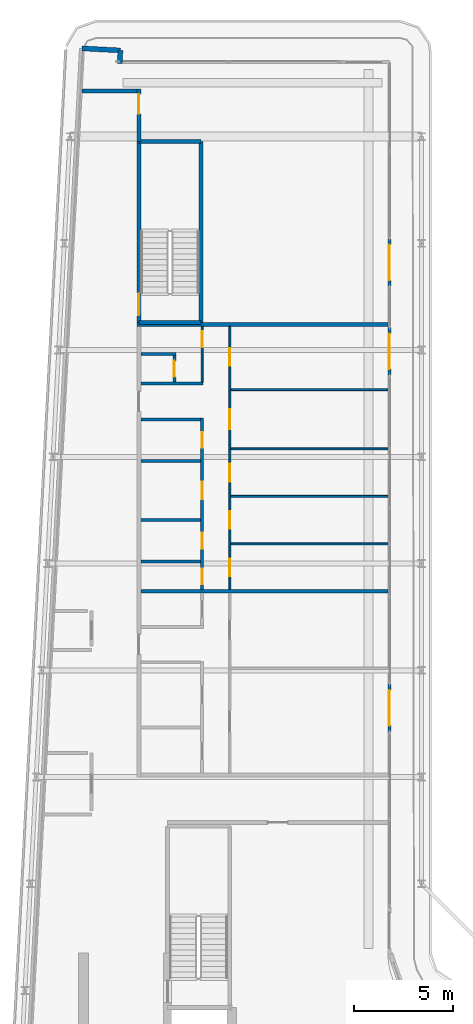
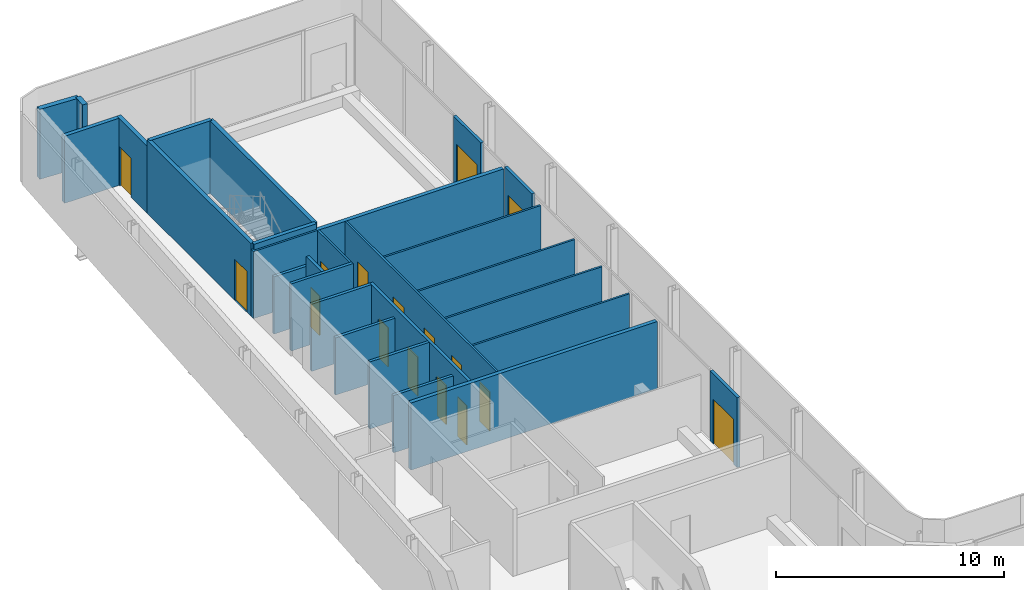
# One storey, part 11 of 19: 27 walls, 16 doors, 16 openings.
"""IFC4 building model written with IfcOpenShell, lengths in metres."""

from ifc_helpers import new_model, si_unit, direction, frame, frame_2d, origin, place, context, subcontext, project, spatial, rectangle, extrude, source, transform, mapped, material, layer, layer_set, type_object, element, fill, save


model = new_model("IFC4")

# Units and contexts
model_context = context("Model", 3, precision=1e-05, world=origin(), true_north=direction((0.0, 1.0)))
body_context = subcontext(model_context, "Body", "Model", "MODEL_VIEW")
ifc_project = project(units=[si_unit("LENGTHUNIT", "METRE"), si_unit("AREAUNIT", "SQUARE_METRE"), si_unit("VOLUMEUNIT", "CUBIC_METRE"), si_unit("PLANEANGLEUNIT", "RADIAN"), si_unit("MASSUNIT", "GRAM", prefix="KILO")], contexts=[model_context])

# Site, building, storey
site_placement = place(None, origin())
site = spatial("IfcSite", under=ifc_project, at=site_placement, CompositionType="ELEMENT")
building_placement = place(site_placement, origin())
building = spatial("IfcBuilding", under=site, at=building_placement, Name="Kheshtan School and Residences Tower", CompositionType="ELEMENT")
storey_placement = place(building_placement, frame((0.0, 0.0, 357.800048828125)))
storey = spatial("IfcBuildingStorey", under=building, at=storey_placement, Name="L84", CompositionType="ELEMENT", Elevation=357.800048828125)

# Wall
ifc_material_1 = material(Name="Gypsum board on steel studs with fire boards", Category="steel")
ifc_layer_1 = layer(ifc_material_1, 0.199951171875)
ifc_layer_set_1 = layer_set([ifc_layer_1], Name="Corridor wall 200")
wall_type_1 = type_object("IfcWallType", Name="Corridor wall 200", PredefinedType="PARTITIONING", material=ifc_layer_set_1)
wall_1_placement = place(storey_placement, frame((30.432373046875, 91.10009765625, 0.0), z_axis=(0.0, 0.0, 1.0), x_axis=(1.0, 0.0, 0.0)))
element("IfcWall", 1, at=wall_1_placement, inside=storey, type_object=wall_type_1, Name="Partition L84-001", PredefinedType="PARTITIONING", context=body_context, shape_type="SweptSolid", body=[
    extrude(rectangle(XDim=2.767578125, YDim=0.199951171875, at=frame_2d((1.3837890625, 0.0))), origin(), (0.0, 0.0, 1.0), 3.599853515625),
])

# Wall, opening, door
wall_2_placement = place(storey_placement, frame((33.300048828125, 88.56005859375, 0.0), z_axis=(0.0, 0.0, 1.0), x_axis=(0.0, 1.0, 0.0)))
wall_2 = element("IfcWall", 2, at=wall_2_placement, inside=storey, type_object=wall_type_1, Name="Partition L84-004", PredefinedType="PARTITIONING", context=body_context, shape_type="SweptSolid", body=[
    extrude(rectangle(XDim=2.639892578125, YDim=0.199951171875, at=frame_2d((1.31982421875, 0.0))), origin(), (0.0, 0.0, 1.0), 3.599853515625),
])
opening_1_placement = place(wall_2_placement, frame((1.389892578125, 0.0, 0.0)))
opening_1 = element("IfcOpeningElement", 3, at=opening_1_placement, cuts=wall_2, Name="Opening D83-021", PredefinedType="OPENING", context=body_context, shape_type="SweptSolid", body=[
    extrude(rectangle(XDim=1.0, YDim=2.10009765625, at=frame_2d((0.5, 1.050048828125))), frame((0.0, 0.10986328125, 0.0), z_axis=(0.0, -1.0, 0.0), x_axis=(1.0, 0.0, 0.0)), (0.0, 0.0, 1.0), 0.219970703125),
])
ifc_material_2 = material(Name="Steel-framed fire-resisting door leaf", Category="steel")
door_type_1 = type_object("IfcDoorType", Name="Fire door FD60 1000 x 2100", OperationType="SINGLE_SWING_LEFT", PredefinedType="DOOR", material=ifc_material_2)
shared_shape_1 = source(origin(), body_context, "Body", "SweptSolid", [
    extrude(rectangle(XDim=1.0, YDim=2.10009765625, at=frame_2d((0.5, 1.050048828125))), frame((0.0, 0.02490234375, 0.0), z_axis=(0.0, -1.0, 0.0), x_axis=(1.0, 0.0, 0.0)), (0.0, 0.0, 1.0), 0.050048828125),
])
door_1_placement = place(opening_1_placement, origin())
door_1 = element("IfcDoor", 4, at=door_1_placement, inside=storey, type_object=door_type_1, Name="Door D83-021", OperationType="SINGLE_SWING_RIGHT", OverallHeight=2.10009765625, OverallWidth=1.0, PredefinedType="DOOR", context=body_context, shape_type="MappedRepresentation", body=[
    mapped(shared_shape_1, transform((0.0, 0.0, 0.0), x_axis=(1.0, 0.0, 0.0), y_axis=(0.0, 1.0, 0.0), z_axis=(0.0, 0.0, 1.0), scale=1.0)),
])
fill(opening_1, door_1)

# Walls
ifc_material_3 = material(Name="Concrete C40/50 with ceramic cladding and mineral wool insulation", Category="concrete")
ifc_layer_2 = layer(ifc_material_3, 0.25)
ifc_layer_set_2 = layer_set([ifc_layer_2], Name="External wall 250 ceramic clad")
wall_type_2 = type_object("IfcWallType", Name="External wall 250 ceramic clad", PredefinedType="SOLIDWALL", material=ifc_layer_set_2)
wall_3_placement = place(storey_placement, frame((30.4208984375, 93.263916015625, 0.0), z_axis=(0.0, 0.0, 1.0), x_axis=(0.998577785791, -0.053314216913, 0.0)))
element("IfcWall", 5, at=wall_3_placement, inside=storey, type_object=wall_type_2, Name="External wall L84 1", PredefinedType="SOLIDWALL", context=body_context, shape_type="SweptSolid", body=[
    extrude(rectangle(XDim=1.95068359375, YDim=0.25, at=frame_2d((0.975341796875, 0.0))), origin(), (0.0, 0.0, 1.0), 3.75),
])
wall_4_placement = place(storey_placement, frame((32.368896484375, 93.159912109375, 0.0), z_axis=(0.0, 0.0, 1.0), x_axis=(-0.053729014033, -0.998555553312, 0.0)))
element("IfcWall", 6, at=wall_4_placement, inside=storey, type_object=wall_type_2, Name="External wall L84 2", PredefinedType="SOLIDWALL", context=body_context, shape_type="SweptSolid", body=[
    extrude(rectangle(XDim=0.66796875, YDim=0.25, at=frame_2d((0.333984375, 0.0))), origin(), (0.0, 0.0, 1.0), 3.75),
])

# Wall, opening, door
ifc_material_4 = material(Name="Aluminium frame wall with insulated infill", Category="aluminium")
ifc_layer_3 = layer(ifc_material_4, 0.14990234375)
ifc_layer_set_3 = layer_set([ifc_layer_3], Name="Glazing frame wall 150")
wall_type_3 = type_object("IfcWallType", Name="Glazing frame wall 150", PredefinedType="SOLIDWALL", material=ifc_layer_set_3)
wall_5_placement = place(storey_placement, frame((45.97509765625, 83.632080078125, 0.0), z_axis=(0.0, 0.0, 1.0), x_axis=(0.0, -1.0, 0.0)))
wall_5 = element("IfcWall", 7, at=wall_5_placement, inside=storey, type_object=wall_type_3, Name="Balcony door wall L84 4.1", PredefinedType="SOLIDWALL", context=body_context, shape_type="SweptSolid", body=[
    extrude(rectangle(XDim=2.399169921875, YDim=0.14990234375, at=frame_2d((1.19970703125, 0.0))), origin(), (0.0, 0.0, 1.0), 3.75),
])
opening_2_placement = place(wall_5_placement, frame((0.300048828125, 0.0, 0.0)))
opening_2 = element("IfcOpeningElement", 8, at=opening_2_placement, cuts=wall_5, Name="Opening BD", PredefinedType="OPENING", context=body_context, shape_type="SweptSolid", body=[
    extrude(rectangle(XDim=1.800048828125, YDim=2.39990234375, at=frame_2d((0.89990234375, 1.199951171875))), frame((0.0, 0.0849609375, 0.0), z_axis=(0.0, -1.0, 0.0), x_axis=(1.0, 0.0, 0.0)), (0.0, 0.0, 1.0), 0.169921875),
])
ifc_material_5 = material(Name="Clear low-e glass in thermally broken aluminium frame", Category="aluminium")
door_type_2 = type_object("IfcDoorType", Name="Balcony sliding door", OperationType="SLIDING_TO_LEFT", PredefinedType="DOOR", material=ifc_material_5)
shared_shape_2 = source(origin(), body_context, "Body", "SweptSolid", [
    extrude(rectangle(XDim=1.800048828125, YDim=2.39990234375, at=frame_2d((0.89990234375, 1.199951171875))), frame((0.0, 0.02490234375, 0.0), z_axis=(0.0, -1.0, 0.0), x_axis=(1.0, 0.0, 0.0)), (0.0, 0.0, 1.0), 0.050048828125),
])
door_2_placement = place(opening_2_placement, origin())
door_2 = element("IfcDoor", 9, at=door_2_placement, inside=storey, type_object=door_type_2, Name="Balcony door L84 4.1", OperationType="SLIDING_TO_LEFT", OverallHeight=2.39990234375, OverallWidth=1.800048828125, PredefinedType="DOOR", context=body_context, shape_type="MappedRepresentation", body=[
    mapped(shared_shape_2, transform((0.0, 0.0, 0.0), x_axis=(1.0, 0.0, 0.0), y_axis=(0.0, 1.0, 0.0), z_axis=(0.0, 0.0, 1.0), scale=1.0)),
])
fill(opening_2, door_2)

wall_6_placement = place(storey_placement, frame((45.97509765625, 79.132080078125, 0.0), z_axis=(0.0, 0.0, 1.0), x_axis=(0.0, -1.0, 0.0)))
wall_6 = element("IfcWall", 10, at=wall_6_placement, inside=storey, type_object=wall_type_3, Name="Balcony door wall L84 4.2", PredefinedType="SOLIDWALL", context=body_context, shape_type="SweptSolid", body=[
    extrude(rectangle(XDim=2.399169921875, YDim=0.14990234375, at=frame_2d((1.19970703125, 0.0))), origin(), (0.0, 0.0, 1.0), 3.75),
])
opening_3_placement = place(wall_6_placement, frame((0.300048828125, 0.0, 0.0)))
opening_3 = element("IfcOpeningElement", 11, at=opening_3_placement, cuts=wall_6, Name="Opening BD", PredefinedType="OPENING", context=body_context, shape_type="SweptSolid", body=[
    extrude(rectangle(XDim=1.800048828125, YDim=2.39990234375, at=frame_2d((0.89990234375, 1.199951171875))), frame((0.0, 0.0849609375, 0.0), z_axis=(0.0, -1.0, 0.0), x_axis=(1.0, 0.0, 0.0)), (0.0, 0.0, 1.0), 0.169921875),
])
door_3_placement = place(opening_3_placement, origin())
door_3 = element("IfcDoor", 12, at=door_3_placement, inside=storey, type_object=door_type_2, Name="Balcony door L84 4.2", OperationType="SLIDING_TO_LEFT", OverallHeight=2.39990234375, OverallWidth=1.800048828125, PredefinedType="DOOR", context=body_context, shape_type="MappedRepresentation", body=[
    mapped(shared_shape_2, transform((0.0, 0.0, 0.0), x_axis=(1.0, 0.0, 0.0), y_axis=(0.0, 1.0, 0.0), z_axis=(0.0, 0.0, 1.0), scale=1.0)),
])
fill(opening_3, door_3)

wall_7_placement = place(storey_placement, frame((45.97509765625, 61.096923828125, 0.0), z_axis=(0.0, 0.0, 1.0), x_axis=(0.0, -1.0, 0.0)))
wall_7 = element("IfcWall", 13, at=wall_7_placement, inside=storey, type_object=wall_type_3, Name="Balcony door wall L84 4.3", PredefinedType="SOLIDWALL", context=body_context, shape_type="SweptSolid", body=[
    extrude(rectangle(XDim=2.39990234375, YDim=0.14990234375, at=frame_2d((1.199951171875, 0.0))), origin(), (0.0, 0.0, 1.0), 3.75),
])
opening_4_placement = place(wall_7_placement, frame((0.300048828125, 0.0, 0.0)))
opening_4 = element("IfcOpeningElement", 14, at=opening_4_placement, cuts=wall_7, Name="Opening BD", PredefinedType="OPENING", context=body_context, shape_type="SweptSolid", body=[
    extrude(rectangle(XDim=1.800048828125, YDim=2.39990234375, at=frame_2d((0.89990234375, 1.199951171875))), frame((0.0, 0.0849609375, 0.0), z_axis=(0.0, -1.0, 0.0), x_axis=(1.0, 0.0, 0.0)), (0.0, 0.0, 1.0), 0.169921875),
])
door_4_placement = place(opening_4_placement, origin())
door_4 = element("IfcDoor", 15, at=door_4_placement, inside=storey, type_object=door_type_2, Name="Balcony door L84 4.3", OperationType="SLIDING_TO_LEFT", OverallHeight=2.39990234375, OverallWidth=1.800048828125, PredefinedType="DOOR", context=body_context, shape_type="MappedRepresentation", body=[
    mapped(shared_shape_2, transform((0.0, 0.0, 0.0), x_axis=(1.0, 0.0, 0.0), y_axis=(0.0, 1.0, 0.0), z_axis=(0.0, 0.0, 1.0), scale=1.0)),
])
fill(opening_4, door_4)

ifc_material_6 = material(Name="Gypsum board on steel studs", Category="steel")
ifc_layer_4 = layer(ifc_material_6, 0.10009765625)
ifc_layer_set_4 = layer_set([ifc_layer_4], Name="Gypsum partition 100")
wall_type_4 = type_object("IfcWallType", Name="Gypsum partition 100", PredefinedType="PARTITIONING", material=ifc_layer_set_4)
wall_8_placement = place(storey_placement, frame((36.5, 76.375, 0.0), z_axis=(0.0, 0.0, 1.0), x_axis=(0.0, 1.0, 0.0)))
wall_8 = element("IfcWall", 16, at=wall_8_placement, inside=storey, type_object=wall_type_4, Name="Partition L84-023", PredefinedType="PARTITIONING", context=body_context, shape_type="SweptSolid", body=[
    extrude(rectangle(XDim=2.824951171875, YDim=0.10009765625, at=frame_2d((1.41259765625, 0.0))), origin(), (0.0, 0.0, 1.0), 3.599853515625),
])
opening_5_placement = place(wall_8_placement, frame((1.77490234375, 0.0, 0.0)))
opening_5 = element("IfcOpeningElement", 17, at=opening_5_placement, cuts=wall_8, Name="Opening D83-014", PredefinedType="OPENING", context=body_context, shape_type="SweptSolid", body=[
    extrude(rectangle(XDim=0.800048828125, YDim=2.10009765625, at=frame_2d((0.39990234375, 1.050048828125))), frame((0.0, 0.06005859375, 0.0), z_axis=(0.0, -1.0, 0.0), x_axis=(1.0, 0.0, 0.0)), (0.0, 0.0, 1.0), 0.1201171875),
])
ifc_material_7 = material(Name="Veneered timber door leaf", Category="wood")
door_type_3 = type_object("IfcDoorType", Name="Door 800 x 2100", OperationType="SINGLE_SWING_LEFT", PredefinedType="DOOR", material=ifc_material_7)
shared_shape_3 = source(origin(), body_context, "Body", "SweptSolid", [
    extrude(rectangle(XDim=0.800048828125, YDim=2.10009765625, at=frame_2d((0.39990234375, 1.050048828125))), frame((0.0, 0.02490234375, 0.0), z_axis=(0.0, -1.0, 0.0), x_axis=(1.0, 0.0, 0.0)), (0.0, 0.0, 1.0), 0.050048828125),
])
door_5_placement = place(opening_5_placement, origin())
door_5 = element("IfcDoor", 18, at=door_5_placement, inside=storey, type_object=door_type_3, Name="Door D83-014", OperationType="SINGLE_SWING_RIGHT", OverallHeight=2.10009765625, OverallWidth=0.800048828125, PredefinedType="DOOR", context=body_context, shape_type="MappedRepresentation", body=[
    mapped(shared_shape_3, transform((0.0, 0.0, 0.0), x_axis=(1.0, 0.0, 0.0), y_axis=(0.0, 1.0, 0.0), z_axis=(0.0, 0.0, 1.0), scale=1.0)),
])
fill(opening_5, door_5)

# Wall, openings, doors
wall_9_placement = place(storey_placement, frame((37.89990234375, 65.89990234375, 0.0), z_axis=(0.0, 0.0, 1.0), x_axis=(0.0, 1.0, 0.0)))
wall_9 = element("IfcWall", 19, at=wall_9_placement, inside=storey, type_object=wall_type_4, Name="Partition L84-025", PredefinedType="PARTITIONING", context=body_context, shape_type="SweptSolid", body=[
    extrude(rectangle(XDim=13.300048828125, YDim=0.10009765625, at=frame_2d((6.64990234375, 0.0))), origin(), (0.0, 0.0, 1.0), 3.599853515625),
])
opening_6_placement = place(wall_9_placement, frame((0.64990234375, 0.0, 0.0)))
opening_6 = element("IfcOpeningElement", 20, at=opening_6_placement, cuts=wall_9, Name="Opening D83-009", PredefinedType="OPENING", context=body_context, shape_type="SweptSolid", body=[
    extrude(rectangle(XDim=0.89990234375, YDim=2.10009765625, at=frame_2d((0.449951171875, 1.050048828125))), frame((0.0, 0.06005859375, 0.0), z_axis=(0.0, -1.0, 0.0), x_axis=(1.0, 0.0, 0.0)), (0.0, 0.0, 1.0), 0.1201171875),
])
opening_7_placement = place(wall_9_placement, frame((3.050048828125, 0.0, 0.0)))
opening_7 = element("IfcOpeningElement", 21, at=opening_7_placement, cuts=wall_9, Name="Opening D83-010", PredefinedType="OPENING", context=body_context, shape_type="SweptSolid", body=[
    extrude(rectangle(XDim=0.89990234375, YDim=2.10009765625, at=frame_2d((0.449951171875, 1.050048828125))), frame((0.0, 0.06005859375, 0.0), z_axis=(0.0, -1.0, 0.0), x_axis=(1.0, 0.0, 0.0)), (0.0, 0.0, 1.0), 0.1201171875),
])
opening_8_placement = place(wall_9_placement, frame((8.10009765625, 0.0, 0.0)))
opening_8 = element("IfcOpeningElement", 22, at=opening_8_placement, cuts=wall_9, Name="Opening D83-013", PredefinedType="OPENING", context=body_context, shape_type="SweptSolid", body=[
    extrude(rectangle(XDim=1.0, YDim=2.10009765625, at=frame_2d((0.5, 1.050048828125))), frame((0.0, 0.06005859375, 0.0), z_axis=(0.0, -1.0, 0.0), x_axis=(1.0, 0.0, 0.0)), (0.0, 0.0, 1.0), 0.1201171875),
])
opening_9_placement = place(wall_9_placement, frame((5.449951171875, 0.0, 0.0)))
opening_9 = element("IfcOpeningElement", 23, at=opening_9_placement, cuts=wall_9, Name="Opening D83-016", PredefinedType="OPENING", context=body_context, shape_type="SweptSolid", body=[
    extrude(rectangle(XDim=0.89990234375, YDim=2.10009765625, at=frame_2d((0.449951171875, 1.050048828125))), frame((0.0, 0.06005859375, 0.0), z_axis=(0.0, -1.0, 0.0), x_axis=(1.0, 0.0, 0.0)), (0.0, 0.0, 1.0), 0.1201171875),
])
opening_10_placement = place(wall_9_placement, frame((11.300048828125, 0.0, 0.0)))
opening_10 = element("IfcOpeningElement", 24, at=opening_10_placement, cuts=wall_9, Name="Opening D83-017", PredefinedType="OPENING", context=body_context, shape_type="SweptSolid", body=[
    extrude(rectangle(XDim=0.89990234375, YDim=2.10009765625, at=frame_2d((0.449951171875, 1.050048828125))), frame((0.0, 0.06005859375, 0.0), z_axis=(0.0, -1.0, 0.0), x_axis=(1.0, 0.0, 0.0)), (0.0, 0.0, 1.0), 0.1201171875),
])
door_type_4 = type_object("IfcDoorType", Name="Door 1000 x 2100", OperationType="SINGLE_SWING_LEFT", PredefinedType="DOOR", material=ifc_material_7)
shared_shape_4 = source(origin(), body_context, "Body", "SweptSolid", [
    extrude(rectangle(XDim=1.0, YDim=2.10009765625, at=frame_2d((0.5, 1.050048828125))), frame((0.0, 0.02490234375, 0.0), z_axis=(0.0, -1.0, 0.0), x_axis=(1.0, 0.0, 0.0)), (0.0, 0.0, 1.0), 0.050048828125),
])
door_6_placement = place(opening_8_placement, origin())
door_6 = element("IfcDoor", 25, at=door_6_placement, inside=storey, type_object=door_type_4, Name="Door D83-013", OperationType="SINGLE_SWING_RIGHT", OverallHeight=2.10009765625, OverallWidth=1.0, PredefinedType="DOOR", context=body_context, shape_type="MappedRepresentation", body=[
    mapped(shared_shape_4, transform((0.0, 0.0, 0.0), x_axis=(1.0, 0.0, 0.0), y_axis=(0.0, 1.0, 0.0), z_axis=(0.0, 0.0, 1.0), scale=1.0)),
])
fill(opening_8, door_6)
door_type_5 = type_object("IfcDoorType", Name="Door 900 x 2100", OperationType="SINGLE_SWING_LEFT", PredefinedType="DOOR", material=ifc_material_7)
shared_shape_5 = source(origin(), body_context, "Body", "SweptSolid", [
    extrude(rectangle(XDim=0.89990234375, YDim=2.10009765625, at=frame_2d((0.449951171875, 1.050048828125))), frame((0.0, 0.02490234375, 0.0), z_axis=(0.0, -1.0, 0.0), x_axis=(1.0, 0.0, 0.0)), (0.0, 0.0, 1.0), 0.050048828125),
])
door_7_placement = place(opening_6_placement, origin())
door_7 = element("IfcDoor", 26, at=door_7_placement, inside=storey, type_object=door_type_5, Name="Door D83-009", OperationType="SINGLE_SWING_LEFT", OverallHeight=2.10009765625, OverallWidth=0.89990234375, PredefinedType="DOOR", context=body_context, shape_type="MappedRepresentation", body=[
    mapped(shared_shape_5, transform((0.0, 0.0, 0.0), x_axis=(1.0, 0.0, 0.0), y_axis=(0.0, 1.0, 0.0), z_axis=(0.0, 0.0, 1.0), scale=1.0)),
])
fill(opening_6, door_7)
door_8_placement = place(opening_7_placement, origin())
door_8 = element("IfcDoor", 27, at=door_8_placement, inside=storey, type_object=door_type_5, Name="Door D83-010", OperationType="SINGLE_SWING_LEFT", OverallHeight=2.10009765625, OverallWidth=0.89990234375, PredefinedType="DOOR", context=body_context, shape_type="MappedRepresentation", body=[
    mapped(shared_shape_5, transform((0.0, 0.0, 0.0), x_axis=(1.0, 0.0, 0.0), y_axis=(0.0, 1.0, 0.0), z_axis=(0.0, 0.0, 1.0), scale=1.0)),
])
fill(opening_7, door_8)
door_9_placement = place(opening_9_placement, origin())
door_9 = element("IfcDoor", 28, at=door_9_placement, inside=storey, type_object=door_type_5, Name="Door D83-016", OperationType="SINGLE_SWING_LEFT", OverallHeight=2.10009765625, OverallWidth=0.89990234375, PredefinedType="DOOR", context=body_context, shape_type="MappedRepresentation", body=[
    mapped(shared_shape_5, transform((0.0, 0.0, 0.0), x_axis=(1.0, 0.0, 0.0), y_axis=(0.0, 1.0, 0.0), z_axis=(0.0, 0.0, 1.0), scale=1.0)),
])
fill(opening_9, door_9)
door_10_placement = place(opening_10_placement, origin())
door_10 = element("IfcDoor", 29, at=door_10_placement, inside=storey, type_object=door_type_5, Name="Door D83-017", OperationType="SINGLE_SWING_RIGHT", OverallHeight=2.10009765625, OverallWidth=0.89990234375, PredefinedType="DOOR", context=body_context, shape_type="MappedRepresentation", body=[
    mapped(shared_shape_5, transform((0.0, 0.0, 0.0), x_axis=(1.0, 0.0, 0.0), y_axis=(0.0, 1.0, 0.0), z_axis=(0.0, 0.0, 1.0), scale=1.0)),
])
fill(opening_10, door_10)

# Walls
for number, where, z_axis, x_axis, name in (
    (30, (37.949951171875, 68.199951171875, 0.0), (0.0, 0.0, 1.0), (1.0, 0.0, 0.0), "Partition L84-027"),
    (31, (37.949951171875, 70.60009765625, 0.0), (0.0, 0.0, 1.0), (1.0, 0.0, 0.0), "Partition L84-028"),
    (32, (37.949951171875, 73.0, 0.0), (0.0, 0.0, 1.0), (1.0, 0.0, 0.0), "Partition L84-029"),
    (33, (37.949951171875, 76.0, 0.0), (0.0, 0.0, 1.0), (1.0, 0.0, 0.0), "Partition L84-030"),
):
    element("IfcWall", number, at=place(storey_placement, frame(where, z_axis=z_axis, x_axis=x_axis)), inside=storey, type_object=wall_type_4, Name=name, PredefinedType="PARTITIONING", context=body_context, shape_type="SweptSolid", body=[
        extrude(rectangle(XDim=7.949951171875, YDim=0.10009765625, at=frame_2d((3.97509765625, 0.0))), origin(), (0.0, 0.0, 1.0), 3.599853515625),
    ])
ifc_material_8 = material(Name="Concrete C40/50", Category="concrete")
ifc_layer_5 = layer(ifc_material_8, 0.199951171875)
ifc_layer_set_5 = layer_set([ifc_layer_5], Name="Stair enclosure wall 200 Concrete C40/50")
wall_type_5 = type_object("IfcWallType", Name="Stair enclosure wall 200 Concrete C40/50", PredefinedType="SHEAR", material=ifc_layer_set_5)
for number, where, z_axis, x_axis, name in (
    (34, (33.300048828125, 79.39990234375, 0.0), (0.0, 0.0, 1.0), (1.0, 0.0, 0.0), "Stair enclosure wall ST3"),
    (35, (33.300048828125, 88.56005859375, 0.0), (0.0, 0.0, 1.0), (1.0, 0.0, 0.0), "Stair enclosure wall ST3"),
):
    element("IfcWall", number, at=place(storey_placement, frame(where, z_axis=z_axis, x_axis=x_axis)), inside=storey, type_object=wall_type_5, Name=name, PredefinedType="SHEAR", context=body_context, shape_type="SweptSolid", body=[
        extrude(rectangle(XDim=3.14990234375, YDim=0.199951171875, at=frame_2d((1.574951171875, 0.0))), origin(), (0.0, 0.0, 1.0), 3.89990234375),
    ])

# Wall, opening, door
wall_10_placement = place(storey_placement, frame((33.300048828125, 79.39990234375, 0.0), z_axis=(0.0, 0.0, 1.0), x_axis=(0.0, 1.0, 0.0)))
wall_10 = element("IfcWall", 36, at=wall_10_placement, inside=storey, type_object=wall_type_5, Name="Stair enclosure wall ST3", PredefinedType="SHEAR", context=body_context, shape_type="SweptSolid", body=[
    extrude(rectangle(XDim=9.16015625, YDim=0.199951171875, at=frame_2d((4.580078125, 0.0))), origin(), (0.0, 0.0, 1.0), 3.89990234375),
])
opening_11_placement = place(wall_10_placement, frame((0.35009765625, 0.0, 0.0)))
opening_11 = element("IfcOpeningElement", 37, at=opening_11_placement, cuts=wall_10, Name="Opening ST3D", PredefinedType="OPENING", context=body_context, shape_type="SweptSolid", body=[
    extrude(rectangle(XDim=1.10009765625, YDim=2.199951171875, at=frame_2d((0.550048828125, 1.10009765625))), frame((0.0, 0.10986328125, 0.0), z_axis=(0.0, -1.0, 0.0), x_axis=(1.0, 0.0, 0.0)), (0.0, 0.0, 1.0), 0.219970703125),
])
ifc_material_9 = material(Name="Steel door leaf, galvanised", Category="steel")
door_type_6 = type_object("IfcDoorType", Name="Stair door 1100 steel 90 min", OperationType="SINGLE_SWING_LEFT", PredefinedType="DOOR", material=ifc_material_9)
shared_shape_6 = source(origin(), body_context, "Body", "SweptSolid", [
    extrude(rectangle(XDim=1.10009765625, YDim=2.199951171875, at=frame_2d((0.550048828125, 1.10009765625))), frame((0.0, 0.02490234375, 0.0), z_axis=(0.0, -1.0, 0.0), x_axis=(1.0, 0.0, 0.0)), (0.0, 0.0, 1.0), 0.050048828125),
])
door_11_placement = place(opening_11_placement, origin())
door_11 = element("IfcDoor", 38, at=door_11_placement, inside=storey, type_object=door_type_6, Name="Stair ST3 door", OperationType="SINGLE_SWING_RIGHT", OverallHeight=2.199951171875, OverallWidth=1.10009765625, PredefinedType="DOOR", context=body_context, shape_type="MappedRepresentation", body=[
    mapped(shared_shape_6, transform((0.0, 0.0, 0.0), x_axis=(1.0, 0.0, 0.0), y_axis=(0.0, 1.0, 0.0), z_axis=(0.0, 0.0, 1.0), scale=1.0)),
])
fill(opening_11, door_11)

# Walls
wall_11_placement = place(storey_placement, frame((36.449951171875, 79.39990234375, 0.0), z_axis=(0.0, 0.0, 1.0), x_axis=(0.0, 1.0, 0.0)))
element("IfcWall", 39, at=wall_11_placement, inside=storey, type_object=wall_type_5, Name="Stair enclosure wall ST3", PredefinedType="SHEAR", context=body_context, shape_type="SweptSolid", body=[
    extrude(rectangle(XDim=9.16015625, YDim=0.199951171875, at=frame_2d((4.580078125, 0.0))), origin(), (0.0, 0.0, 1.0), 3.89990234375),
])
ifc_material_10 = material(Name="Twin gypsum board on steel studs with mineral wool", Category="steel")
ifc_layer_6 = layer(ifc_material_10, 0.199951171875)
ifc_layer_set_6 = layer_set([ifc_layer_6], Name="Unit demising wall 200")
wall_type_6 = type_object("IfcWallType", Name="Unit demising wall 200", PredefinedType="PARTITIONING", material=ifc_layer_set_6)
wall_12_placement = place(storey_placement, frame((33.199951171875, 79.300048828125, 0.0), z_axis=(0.0, 0.0, 1.0), x_axis=(1.0, 0.0, 0.0)))
element("IfcWall", 40, at=wall_12_placement, inside=storey, type_object=wall_type_6, Name="Partition L84-002", PredefinedType="PARTITIONING", context=body_context, shape_type="SweptSolid", body=[
    extrude(rectangle(XDim=12.699951171875, YDim=0.199951171875, at=frame_2d((6.35009765625, 0.0))), origin(), (0.0, 0.0, 1.0), 3.599853515625),
])
wall_13_placement = place(storey_placement, frame((33.39990234375, 65.800048828125, 0.0), z_axis=(0.0, 0.0, 1.0), x_axis=(1.0, 0.0, 0.0)))
element("IfcWall", 41, at=wall_13_placement, inside=storey, type_object=wall_type_6, Name="Partition L84-009", PredefinedType="PARTITIONING", context=body_context, shape_type="SweptSolid", body=[
    extrude(rectangle(XDim=12.5, YDim=0.199951171875, at=frame_2d((6.25, 0.0))), origin(), (0.0, 0.0, 1.0), 3.599853515625),
])
ifc_material_11 = material(Name="Moisture-resistant gypsum board on steel studs", Category="steel")
ifc_layer_7 = layer(ifc_material_11, 0.14990234375)
ifc_layer_set_7 = layer_set([ifc_layer_7], Name="Wet-room partition 150")
wall_type_7 = type_object("IfcWallType", Name="Wet-room partition 150", PredefinedType="PARTITIONING", material=ifc_layer_set_7)
wall_14_placement = place(storey_placement, frame((33.39990234375, 67.300048828125, 0.0), z_axis=(0.0, 0.0, 1.0), x_axis=(1.0, 0.0, 0.0)))
element("IfcWall", 42, at=wall_14_placement, inside=storey, type_object=wall_type_7, Name="Partition L84-010", PredefinedType="PARTITIONING", context=body_context, shape_type="SweptSolid", body=[
    extrude(rectangle(XDim=3.025146484375, YDim=0.14990234375, at=frame_2d((1.5126953125, 0.0))), origin(), (0.0, 0.0, 1.0), 3.072021484375),
])
wall_15_placement = place(storey_placement, frame((33.39990234375, 69.39990234375, 0.0), z_axis=(0.0, 0.0, 1.0), x_axis=(1.0, 0.0, 0.0)))
element("IfcWall", 43, at=wall_15_placement, inside=storey, type_object=wall_type_7, Name="Partition L84-011", PredefinedType="PARTITIONING", context=body_context, shape_type="SweptSolid", body=[
    extrude(rectangle(XDim=3.025146484375, YDim=0.14990234375, at=frame_2d((1.5126953125, 0.0))), origin(), (0.0, 0.0, 1.0), 3.599853515625),
])
wall_16_placement = place(storey_placement, frame((33.39990234375, 72.39990234375, 0.0), z_axis=(0.0, 0.0, 1.0), x_axis=(1.0, 0.0, 0.0)))
element("IfcWall", 44, at=wall_16_placement, inside=storey, type_object=wall_type_7, Name="Partition L84-012", PredefinedType="PARTITIONING", context=body_context, shape_type="SweptSolid", body=[
    extrude(rectangle(XDim=3.025146484375, YDim=0.14990234375, at=frame_2d((1.5126953125, 0.0))), origin(), (0.0, 0.0, 1.0), 3.072021484375),
])
wall_17_placement = place(storey_placement, frame((33.39990234375, 74.5, 0.0), z_axis=(0.0, 0.0, 1.0), x_axis=(1.0, 0.0, 0.0)))
element("IfcWall", 45, at=wall_17_placement, inside=storey, type_object=wall_type_7, Name="Partition L84-013", PredefinedType="PARTITIONING", context=body_context, shape_type="SweptSolid", body=[
    extrude(rectangle(XDim=3.025146484375, YDim=0.14990234375, at=frame_2d((1.5126953125, 0.0))), origin(), (0.0, 0.0, 1.0), 3.599853515625),
])
wall_18_placement = place(storey_placement, frame((33.39990234375, 76.300048828125, 0.0), z_axis=(0.0, 0.0, 1.0), x_axis=(1.0, 0.0, 0.0)))
element("IfcWall", 46, at=wall_18_placement, inside=storey, type_object=wall_type_7, Name="Partition L84-014", PredefinedType="PARTITIONING", context=body_context, shape_type="SweptSolid", body=[
    extrude(rectangle(XDim=3.150146484375, YDim=0.14990234375, at=frame_2d((1.5751953125, 0.0))), origin(), (0.0, 0.0, 1.0), 3.599853515625),
])
wall_19_placement = place(storey_placement, frame((33.39990234375, 77.800048828125, 0.0), z_axis=(0.0, 0.0, 1.0), x_axis=(1.0, 0.0, 0.0)))
element("IfcWall", 47, at=wall_19_placement, inside=storey, type_object=wall_type_7, Name="Partition L84-015", PredefinedType="PARTITIONING", context=body_context, shape_type="SweptSolid", body=[
    extrude(rectangle(XDim=1.775146484375, YDim=0.14990234375, at=frame_2d((0.8876953125, 0.0))), origin(), (0.0, 0.0, 1.0), 3.072021484375),
])

# Wall, opening, door
wall_20_placement = place(storey_placement, frame((35.10009765625, 76.375, 0.0), z_axis=(0.0, 0.0, 1.0), x_axis=(0.0, 1.0, 0.0)))
wall_20 = element("IfcWall", 48, at=wall_20_placement, inside=storey, type_object=wall_type_7, Name="Partition L84-019", PredefinedType="PARTITIONING", context=body_context, shape_type="SweptSolid", body=[
    extrude(rectangle(XDim=1.35009765625, YDim=0.14990234375, at=frame_2d((0.675048828125, 0.0))), origin(), (0.0, 0.0, 1.0), 3.599853515625),
])
opening_12_placement = place(wall_20_placement, frame((0.27490234375, 0.0, 0.0)))
opening_12 = element("IfcOpeningElement", 49, at=opening_12_placement, cuts=wall_20, Name="Opening D83-015", PredefinedType="OPENING", context=body_context, shape_type="SweptSolid", body=[
    extrude(rectangle(XDim=0.800048828125, YDim=2.10009765625, at=frame_2d((0.39990234375, 1.050048828125))), frame((0.0, 0.0849609375, 0.0), z_axis=(0.0, -1.0, 0.0), x_axis=(1.0, 0.0, 0.0)), (0.0, 0.0, 1.0), 0.169921875),
])
door_12_placement = place(opening_12_placement, origin())
door_12 = element("IfcDoor", 50, at=door_12_placement, inside=storey, type_object=door_type_3, Name="Door D83-015", OperationType="SINGLE_SWING_LEFT", OverallHeight=2.10009765625, OverallWidth=0.800048828125, PredefinedType="DOOR", context=body_context, shape_type="MappedRepresentation", body=[
    mapped(shared_shape_3, transform((0.0, 0.0, 0.0), x_axis=(1.0, 0.0, 0.0), y_axis=(0.0, 1.0, 0.0), z_axis=(0.0, 0.0, 1.0), scale=1.0)),
])
fill(opening_12, door_12)

# Wall, openings, doors
wall_21_placement = place(storey_placement, frame((36.5, 65.89990234375, 0.0), z_axis=(0.0, 0.0, 1.0), x_axis=(0.0, 1.0, 0.0)))
wall_21 = element("IfcWall", 51, at=wall_21_placement, inside=storey, type_object=wall_type_7, Name="Partition L84-022", PredefinedType="PARTITIONING", context=body_context, shape_type="SweptSolid", body=[
    extrude(rectangle(XDim=8.675048828125, YDim=0.14990234375, at=frame_2d((4.33740234375, 0.0))), origin(), (0.0, 0.0, 1.0), 3.599853515625),
])
opening_13_placement = place(wall_21_placement, frame((2.050048828125, 0.0, 0.0)))
opening_13 = element("IfcOpeningElement", 52, at=opening_13_placement, cuts=wall_21, Name="Opening D83-007", PredefinedType="OPENING", context=body_context, shape_type="SweptSolid", body=[
    extrude(rectangle(XDim=0.800048828125, YDim=2.10009765625, at=frame_2d((0.39990234375, 1.050048828125))), frame((0.0, 0.0849609375, 0.0), z_axis=(0.0, -1.0, 0.0), x_axis=(1.0, 0.0, 0.0)), (0.0, 0.0, 1.0), 0.169921875),
])
opening_14_placement = place(wall_21_placement, frame((7.14990234375, 0.0, 0.0)))
opening_14 = element("IfcOpeningElement", 53, at=opening_14_placement, cuts=wall_21, Name="Opening D83-008", PredefinedType="OPENING", context=body_context, shape_type="SweptSolid", body=[
    extrude(rectangle(XDim=0.800048828125, YDim=2.10009765625, at=frame_2d((0.39990234375, 1.050048828125))), frame((0.0, 0.0849609375, 0.0), z_axis=(0.0, -1.0, 0.0), x_axis=(1.0, 0.0, 0.0)), (0.0, 0.0, 1.0), 0.169921875),
])
opening_15_placement = place(wall_21_placement, frame((4.550048828125, 0.0, 0.0)))
opening_15 = element("IfcOpeningElement", 54, at=opening_15_placement, cuts=wall_21, Name="Opening D83-012", PredefinedType="OPENING", context=body_context, shape_type="SweptSolid", body=[
    extrude(rectangle(XDim=0.89990234375, YDim=2.10009765625, at=frame_2d((0.449951171875, 1.050048828125))), frame((0.0, 0.0849609375, 0.0), z_axis=(0.0, -1.0, 0.0), x_axis=(1.0, 0.0, 0.0)), (0.0, 0.0, 1.0), 0.169921875),
])
opening_16_placement = place(wall_21_placement, frame((0.25, 0.0, 0.0)))
opening_16 = element("IfcOpeningElement", 55, at=opening_16_placement, cuts=wall_21, Name="Opening D83-018", PredefinedType="OPENING", context=body_context, shape_type="SweptSolid", body=[
    extrude(rectangle(XDim=0.800048828125, YDim=2.10009765625, at=frame_2d((0.39990234375, 1.050048828125))), frame((0.0, 0.0849609375, 0.0), z_axis=(0.0, -1.0, 0.0), x_axis=(1.0, 0.0, 0.0)), (0.0, 0.0, 1.0), 0.169921875),
])
door_13_placement = place(opening_13_placement, origin())
door_13 = element("IfcDoor", 56, at=door_13_placement, inside=storey, type_object=door_type_3, Name="Door D83-007", OperationType="SINGLE_SWING_RIGHT", OverallHeight=2.10009765625, OverallWidth=0.800048828125, PredefinedType="DOOR", context=body_context, shape_type="MappedRepresentation", body=[
    mapped(shared_shape_3, transform((0.0, 0.0, 0.0), x_axis=(1.0, 0.0, 0.0), y_axis=(0.0, 1.0, 0.0), z_axis=(0.0, 0.0, 1.0), scale=1.0)),
])
fill(opening_13, door_13)
door_14_placement = place(opening_14_placement, origin())
door_14 = element("IfcDoor", 57, at=door_14_placement, inside=storey, type_object=door_type_3, Name="Door D83-008", OperationType="SINGLE_SWING_RIGHT", OverallHeight=2.10009765625, OverallWidth=0.800048828125, PredefinedType="DOOR", context=body_context, shape_type="MappedRepresentation", body=[
    mapped(shared_shape_3, transform((0.0, 0.0, 0.0), x_axis=(1.0, 0.0, 0.0), y_axis=(0.0, 1.0, 0.0), z_axis=(0.0, 0.0, 1.0), scale=1.0)),
])
fill(opening_14, door_14)
door_15_placement = place(opening_16_placement, origin())
door_15 = element("IfcDoor", 58, at=door_15_placement, inside=storey, type_object=door_type_3, Name="Door D83-018", OperationType="SINGLE_SWING_RIGHT", OverallHeight=2.10009765625, OverallWidth=0.800048828125, PredefinedType="DOOR", context=body_context, shape_type="MappedRepresentation", body=[
    mapped(shared_shape_3, transform((0.0, 0.0, 0.0), x_axis=(1.0, 0.0, 0.0), y_axis=(0.0, 1.0, 0.0), z_axis=(0.0, 0.0, 1.0), scale=1.0)),
])
fill(opening_16, door_15)
door_16_placement = place(opening_15_placement, origin())
door_16 = element("IfcDoor", 59, at=door_16_placement, inside=storey, type_object=door_type_5, Name="Door D83-012", OperationType="SINGLE_SWING_RIGHT", OverallHeight=2.10009765625, OverallWidth=0.89990234375, PredefinedType="DOOR", context=body_context, shape_type="MappedRepresentation", body=[
    mapped(shared_shape_5, transform((0.0, 0.0, 0.0), x_axis=(1.0, 0.0, 0.0), y_axis=(0.0, 1.0, 0.0), z_axis=(0.0, 0.0, 1.0), scale=1.0)),
])
fill(opening_15, door_16)

save(model, "model.ifc")
